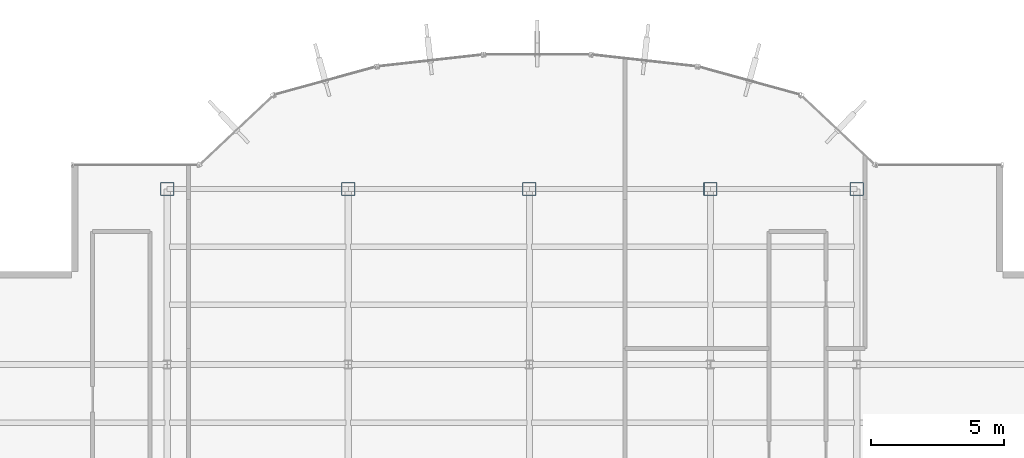
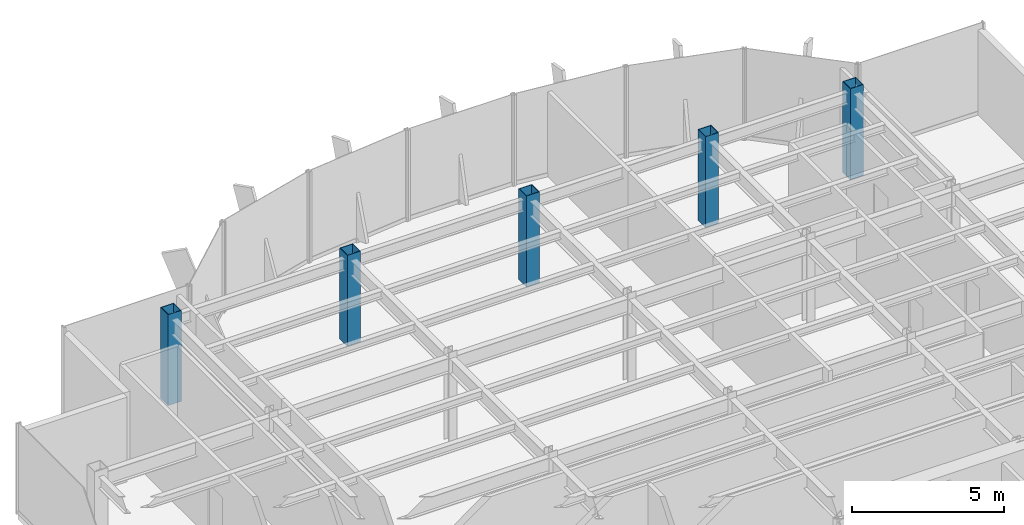
# One storey, part 2 of 22: 5 columns.
"""IFC4 building model written with IfcOpenShell, lengths in metres."""

from ifc_helpers import new_model, si_unit, derived_unit, direction, frame, origin, origin_2d, place, context, subcontext, project, spatial, hollow_rectangle, extrude, source, transform, mapped, material, material_profile, profile_set, type_object, element, save


model = new_model("IFC4")

# Units and contexts
model_context = context("Model", 3, precision=1e-05, world=origin(), true_north=direction((0.0, 1.0)))
body_context = subcontext(model_context, "Body", "Model", "MODEL_VIEW")
ifc_project = project(units=[si_unit("LENGTHUNIT", "METRE"), si_unit("AREAUNIT", "SQUARE_METRE"), si_unit("VOLUMEUNIT", "CUBIC_METRE"), si_unit("PLANEANGLEUNIT", "RADIAN"), si_unit("MASSUNIT", "GRAM", prefix="KILO"), derived_unit("THERMALTRANSMITTANCEUNIT", [(si_unit("POWERUNIT", "WATT"), 1), (si_unit("LENGTHUNIT", "METRE"), -2), (si_unit("THERMODYNAMICTEMPERATUREUNIT", "KELVIN"), -1)])], contexts=[model_context])

# Site, building, storey
site_placement = place(None, origin())
site = spatial("IfcSite", under=ifc_project, at=site_placement, CompositionType="ELEMENT")
building_placement = place(site_placement, origin())
building = spatial("IfcBuilding", under=site, at=building_placement, Name="Skarnbrae Concourse Arena and Tower", CompositionType="ELEMENT")
storey_placement = place(building_placement, frame((0.0, 0.0, 240.550048828125)))
storey = spatial("IfcBuildingStorey", under=building, at=storey_placement, Name="L62", CompositionType="ELEMENT", Elevation=240.550048828125)

# Columns
ifc_material = material(Name="Steel CSA G40.21 350W", Category="steel")
ifc_material_profile = material_profile(ifc_material, hollow_rectangle(XDim=0.5, YDim=0.5, WallThickness=0.02197265625, at=origin_2d()), Name="HSS500X500X22.0")
ifc_profile_set = profile_set([ifc_material_profile], Name="Steel CSA G40.21 350W")
column_type = type_object("IfcColumnType", Name="COL-TUBE-HSS500", PredefinedType="COLUMN", material=ifc_profile_set)
shared_shape = source(origin(), body_context, "Body", "SweptSolid", [
    extrude(hollow_rectangle(XDim=0.5, YDim=0.5, WallThickness=0.02197265625, at=origin_2d()), origin(), (0.0, 0.0, 1.0), 3.64990234375),
])
for number, where, z_axis, x_axis, name in (
    (1, (7.60009765625, 34.39990234375, 0.0), (0.0, 0.0, 1.0), (1.0, 0.0, 0.0), "L62 Tower column PC_02_05"),
    (2, (14.39990234375, 34.39990234375, 0.0), (0.0, 0.0, 1.0), (1.0, 0.0, 0.0), "L62 Tower column PC_03_05"),
    (3, (21.199951171875, 34.39990234375, 0.0), (0.0, 0.0, 1.0), (1.0, 0.0, 0.0), "L62 Tower column PC_04_05"),
    (4, (28.0, 34.39990234375, 0.0), (0.0, 0.0, 1.0), (1.0, 0.0, 0.0), "L62 Tower column PC_05_05"),
    (5, (33.5, 34.39990234375, 0.0), (0.0, 0.0, 1.0), (1.0, 0.0, 0.0), "L62 Tower column PC_06_05"),
):
    element("IfcColumn", number, at=place(storey_placement, frame(where, z_axis=z_axis, x_axis=x_axis)), inside=storey, type_object=column_type, Name=name, PredefinedType="COLUMN", context=body_context, shape_type="MappedRepresentation", body=[
        mapped(shared_shape, transform((0.0, 0.0, 0.0))),
    ])

save(model, "model.ifc")
